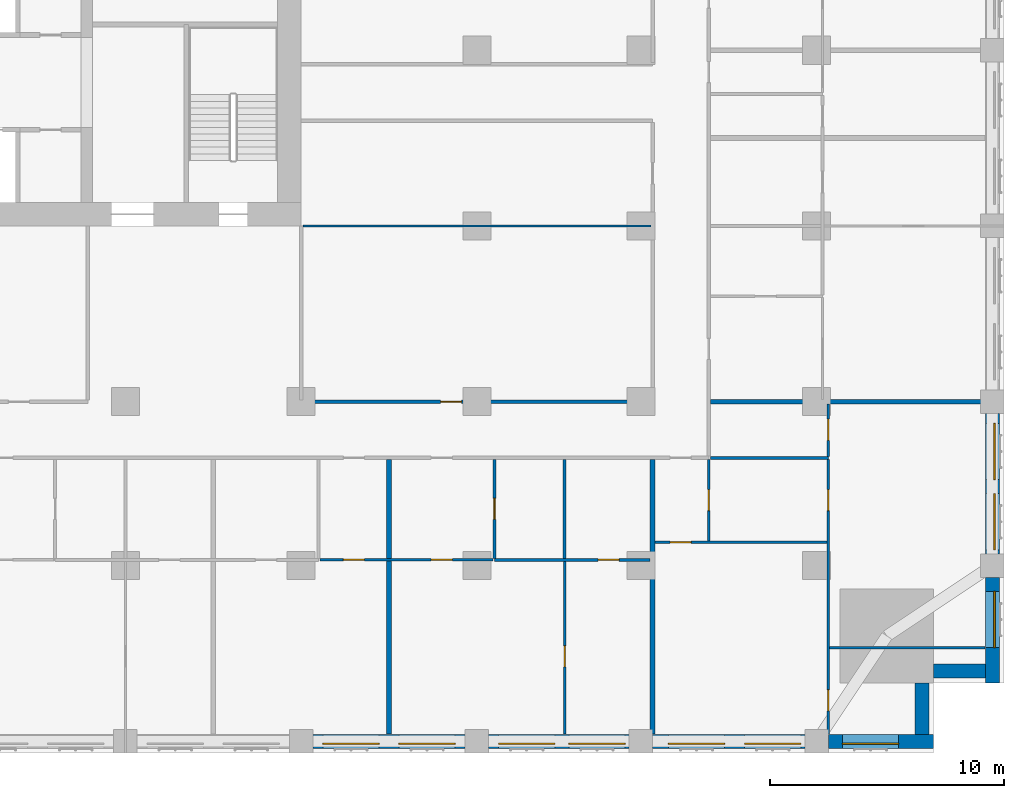
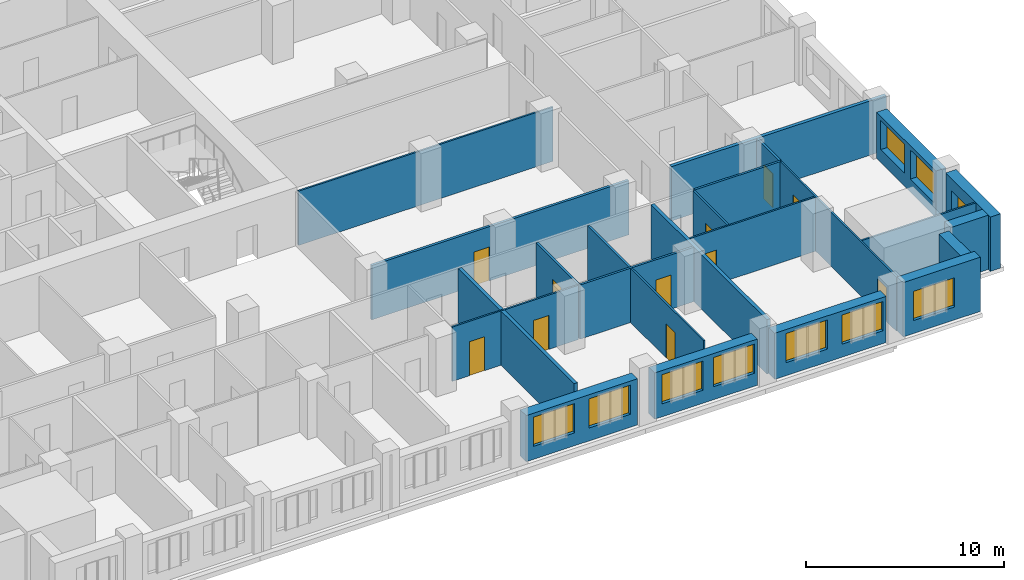
# One storey, part 6 of 14: 24 walls, 11 doors, 10 windows, 21 openings.
"""IFC4 building model written with IfcOpenShell, lengths in metres."""

from ifc_helpers import new_model, si_unit, direction, frame, frame_2d, origin, place, context, subcontext, project, spatial, rectangle, extrude, material, layer, layer_set, type_object, element, fill, save


model = new_model("IFC4")

# Units and contexts
model_context = context("Model", 3, precision=1e-05, world=origin(), true_north=direction((0.0, 1.0)))
body_context = subcontext(model_context, "Body", "Model", "MODEL_VIEW")
ifc_project = project(units=[si_unit("LENGTHUNIT", "METRE"), si_unit("AREAUNIT", "SQUARE_METRE"), si_unit("VOLUMEUNIT", "CUBIC_METRE"), si_unit("PLANEANGLEUNIT", "RADIAN"), si_unit("MASSUNIT", "GRAM", prefix="KILO")], contexts=[model_context])

# Site, building, storey
site_placement = place(None, origin())
site = spatial("IfcSite", under=ifc_project, at=site_placement, CompositionType="ELEMENT")
building_placement = place(site_placement, origin())
building = spatial("IfcBuilding", under=site, at=building_placement, Name="Tamorin Gate", CompositionType="ELEMENT")
storey_placement = place(building_placement, frame((0.0, 0.0, 41.199951171875)))
storey = spatial("IfcBuildingStorey", under=building, at=storey_placement, Name="L08", CompositionType="ELEMENT", Elevation=41.199951171875)

# Wall, openings, windows
ifc_material_1 = material(Name="Precast concrete C40/50", Category="concrete")
ifc_layer_1 = layer(ifc_material_1, 0.60009765625)
ifc_layer_set_1 = layer_set([ifc_layer_1], Name="Precast concrete C40/50")
wall_type_1 = type_object("IfcWallType", Name="Board-marked concrete facade panel 600", PredefinedType="SOLIDWALL", material=ifc_layer_set_1)
wall_1_placement = place(storey_placement, frame((60.5, 38.0, 0.0), z_axis=(0.0, 0.0, 1.0), x_axis=(1.0, 0.0, 0.0)))
wall_1 = element("IfcWall", 1, at=wall_1_placement, inside=storey, type_object=wall_type_1, Name="Facade panel", PredefinedType="SOLIDWALL", context=body_context, shape_type="SweptSolid", body=[
    extrude(rectangle(XDim=6.5, YDim=0.60009765625, at=frame_2d((3.25, 0.0))), origin(), (0.0, 0.0, 1.0), 2.85009765625),
])
opening_1_placement = place(wall_1_placement, frame((0.425048828125, 0.0, 0.800048828125)))
opening_1 = element("IfcOpeningElement", 2, at=opening_1_placement, cuts=wall_1, Name="Opening WN1", PredefinedType="OPENING", context=body_context, shape_type="SweptSolid", body=[
    extrude(rectangle(XDim=2.39990234375, YDim=1.800048828125, at=frame_2d((1.199951171875, 0.89990234375))), frame((0.0, 0.31005859375, 0.0), z_axis=(0.0, -1.0, 0.0), x_axis=(1.0, 0.0, 0.0)), (0.0, 0.0, 1.0), 0.6201171875),
])
opening_2_placement = place(wall_1_placement, frame((3.675048828125, 0.0, 0.800048828125)))
opening_2 = element("IfcOpeningElement", 3, at=opening_2_placement, cuts=wall_1, Name="Opening WN1", PredefinedType="OPENING", context=body_context, shape_type="SweptSolid", body=[
    extrude(rectangle(XDim=2.39990234375, YDim=1.800048828125, at=frame_2d((1.199951171875, 0.89990234375))), frame((0.0, 0.31005859375, 0.0), z_axis=(0.0, -1.0, 0.0), x_axis=(1.0, 0.0, 0.0)), (0.0, 0.0, 1.0), 0.6201171875),
])
ifc_material_2 = material(Name="Clear glass in aluminium frame", Category="aluminium")
window_type = type_object("IfcWindowType", Name="Deep-set window 2400x1800", PartitioningType="SINGLE_PANEL", PredefinedType="WINDOW", material=ifc_material_2)
window_1_placement = place(opening_1_placement, origin())
window_1 = element("IfcWindow", 4, at=window_1_placement, inside=storey, type_object=window_type, Name="Deep-set window", OverallHeight=1.800048828125, OverallWidth=2.39990234375, PartitioningType="SINGLE_PANEL", PredefinedType="WINDOW", context=body_context, shape_type="SweptSolid", body=[
    extrude(rectangle(XDim=2.39990234375, YDim=1.800048828125, at=frame_2d((1.199951171875, 0.89990234375))), frame((0.0, -0.070068359375, 0.0), z_axis=(0.0, -1.0, 0.0), x_axis=(1.0, 0.0, 0.0)), (0.0, 0.0, 1.0), 0.06005859375),
])
fill(opening_1, window_1)
window_2_placement = place(opening_2_placement, origin())
window_2 = element("IfcWindow", 5, at=window_2_placement, inside=storey, type_object=window_type, Name="Deep-set window", OverallHeight=1.800048828125, OverallWidth=2.39990234375, PartitioningType="SINGLE_PANEL", PredefinedType="WINDOW", context=body_context, shape_type="SweptSolid", body=[
    extrude(rectangle(XDim=2.39990234375, YDim=1.800048828125, at=frame_2d((1.199951171875, 0.89990234375))), frame((0.0, -0.070068359375, 0.0), z_axis=(0.0, -1.0, 0.0), x_axis=(1.0, 0.0, 0.0)), (0.0, 0.0, 1.0), 0.06005859375),
])
fill(opening_2, window_2)

wall_2_placement = place(storey_placement, frame((68.0, 38.0, 0.0), z_axis=(0.0, 0.0, 1.0), x_axis=(1.0, 0.0, 0.0)))
wall_2 = element("IfcWall", 6, at=wall_2_placement, inside=storey, type_object=wall_type_1, Name="Facade panel", PredefinedType="SOLIDWALL", context=body_context, shape_type="SweptSolid", body=[
    extrude(rectangle(XDim=6.0, YDim=0.60009765625, at=frame_2d((3.0, 0.0))), origin(), (0.0, 0.0, 1.0), 2.85009765625),
])
opening_3_placement = place(wall_2_placement, frame((0.425048828125, 0.0, 0.800048828125)))
opening_3 = element("IfcOpeningElement", 7, at=opening_3_placement, cuts=wall_2, Name="Opening WN1", PredefinedType="OPENING", context=body_context, shape_type="SweptSolid", body=[
    extrude(rectangle(XDim=2.39990234375, YDim=1.800048828125, at=frame_2d((1.199951171875, 0.89990234375))), frame((0.0, 0.31005859375, 0.0), z_axis=(0.0, -1.0, 0.0), x_axis=(1.0, 0.0, 0.0)), (0.0, 0.0, 1.0), 0.6201171875),
])
opening_4_placement = place(wall_2_placement, frame((3.425048828125, 0.0, 0.800048828125)))
opening_4 = element("IfcOpeningElement", 8, at=opening_4_placement, cuts=wall_2, Name="Opening WN1", PredefinedType="OPENING", context=body_context, shape_type="SweptSolid", body=[
    extrude(rectangle(XDim=2.39990234375, YDim=1.800048828125, at=frame_2d((1.199951171875, 0.89990234375))), frame((0.0, 0.31005859375, 0.0), z_axis=(0.0, -1.0, 0.0), x_axis=(1.0, 0.0, 0.0)), (0.0, 0.0, 1.0), 0.6201171875),
])
window_3_placement = place(opening_3_placement, origin())
window_3 = element("IfcWindow", 9, at=window_3_placement, inside=storey, type_object=window_type, Name="Deep-set window", OverallHeight=1.800048828125, OverallWidth=2.39990234375, PartitioningType="SINGLE_PANEL", PredefinedType="WINDOW", context=body_context, shape_type="SweptSolid", body=[
    extrude(rectangle(XDim=2.39990234375, YDim=1.800048828125, at=frame_2d((1.199951171875, 0.89990234375))), frame((0.0, -0.070068359375, 0.0), z_axis=(0.0, -1.0, 0.0), x_axis=(1.0, 0.0, 0.0)), (0.0, 0.0, 1.0), 0.06005859375),
])
fill(opening_3, window_3)
window_4_placement = place(opening_4_placement, origin())
window_4 = element("IfcWindow", 10, at=window_4_placement, inside=storey, type_object=window_type, Name="Deep-set window", OverallHeight=1.800048828125, OverallWidth=2.39990234375, PartitioningType="SINGLE_PANEL", PredefinedType="WINDOW", context=body_context, shape_type="SweptSolid", body=[
    extrude(rectangle(XDim=2.39990234375, YDim=1.800048828125, at=frame_2d((1.199951171875, 0.89990234375))), frame((0.0, -0.070068359375, 0.0), z_axis=(0.0, -1.0, 0.0), x_axis=(1.0, 0.0, 0.0)), (0.0, 0.0, 1.0), 0.06005859375),
])
fill(opening_4, window_4)

wall_3_placement = place(storey_placement, frame((75.0, 38.0, 0.0), z_axis=(0.0, 0.0, 1.0), x_axis=(1.0, 0.0, 0.0)))
wall_3 = element("IfcWall", 11, at=wall_3_placement, inside=storey, type_object=wall_type_1, Name="Facade panel", PredefinedType="SOLIDWALL", context=body_context, shape_type="SweptSolid", body=[
    extrude(rectangle(XDim=6.5, YDim=0.60009765625, at=frame_2d((3.25, 0.0))), origin(), (0.0, 0.0, 1.0), 2.85009765625),
])
opening_5_placement = place(wall_3_placement, frame((0.675048828125, 0.0, 0.800048828125)))
opening_5 = element("IfcOpeningElement", 12, at=opening_5_placement, cuts=wall_3, Name="Opening WN1", PredefinedType="OPENING", context=body_context, shape_type="SweptSolid", body=[
    extrude(rectangle(XDim=2.39990234375, YDim=1.800048828125, at=frame_2d((1.199951171875, 0.89990234375))), frame((0.0, 0.31005859375, 0.0), z_axis=(0.0, -1.0, 0.0), x_axis=(1.0, 0.0, 0.0)), (0.0, 0.0, 1.0), 0.6201171875),
])
opening_6_placement = place(wall_3_placement, frame((3.925048828125, 0.0, 0.800048828125)))
opening_6 = element("IfcOpeningElement", 13, at=opening_6_placement, cuts=wall_3, Name="Opening WN1", PredefinedType="OPENING", context=body_context, shape_type="SweptSolid", body=[
    extrude(rectangle(XDim=2.39990234375, YDim=1.800048828125, at=frame_2d((1.199951171875, 0.89990234375))), frame((0.0, 0.31005859375, 0.0), z_axis=(0.0, -1.0, 0.0), x_axis=(1.0, 0.0, 0.0)), (0.0, 0.0, 1.0), 0.6201171875),
])
window_5_placement = place(opening_5_placement, origin())
window_5 = element("IfcWindow", 14, at=window_5_placement, inside=storey, type_object=window_type, Name="Deep-set window", OverallHeight=1.800048828125, OverallWidth=2.39990234375, PartitioningType="SINGLE_PANEL", PredefinedType="WINDOW", context=body_context, shape_type="SweptSolid", body=[
    extrude(rectangle(XDim=2.39990234375, YDim=1.800048828125, at=frame_2d((1.199951171875, 0.89990234375))), frame((0.0, -0.070068359375, 0.0), z_axis=(0.0, -1.0, 0.0), x_axis=(1.0, 0.0, 0.0)), (0.0, 0.0, 1.0), 0.06005859375),
])
fill(opening_5, window_5)
window_6_placement = place(opening_6_placement, origin())
window_6 = element("IfcWindow", 15, at=window_6_placement, inside=storey, type_object=window_type, Name="Deep-set window", OverallHeight=1.800048828125, OverallWidth=2.39990234375, PartitioningType="SINGLE_PANEL", PredefinedType="WINDOW", context=body_context, shape_type="SweptSolid", body=[
    extrude(rectangle(XDim=2.39990234375, YDim=1.800048828125, at=frame_2d((1.199951171875, 0.89990234375))), frame((0.0, -0.070068359375, 0.0), z_axis=(0.0, -1.0, 0.0), x_axis=(1.0, 0.0, 0.0)), (0.0, 0.0, 1.0), 0.06005859375),
])
fill(opening_6, window_6)

# Wall, opening, window
wall_4_placement = place(storey_placement, frame((82.5, 38.0, 0.0), z_axis=(0.0, 0.0, 1.0), x_axis=(1.0, 0.0, 0.0)))
wall_4 = element("IfcWall", 16, at=wall_4_placement, inside=storey, type_object=wall_type_1, Name="Facade panel", PredefinedType="SOLIDWALL", context=body_context, shape_type="SweptSolid", body=[
    extrude(rectangle(XDim=4.5, YDim=0.60009765625, at=frame_2d((2.25, 0.0))), origin(), (0.0, 0.0, 1.0), 3.35009765625),
])
opening_7_placement = place(wall_4_placement, frame((0.60009765625, 0.0, 0.800048828125)))
opening_7 = element("IfcOpeningElement", 17, at=opening_7_placement, cuts=wall_4, Name="Opening WN1", PredefinedType="OPENING", context=body_context, shape_type="SweptSolid", body=[
    extrude(rectangle(XDim=2.39990234375, YDim=1.800048828125, at=frame_2d((1.199951171875, 0.89990234375))), frame((0.0, 0.31005859375, 0.0), z_axis=(0.0, -1.0, 0.0), x_axis=(1.0, 0.0, 0.0)), (0.0, 0.0, 1.0), 0.6201171875),
])
window_7_placement = place(opening_7_placement, origin())
window_7 = element("IfcWindow", 18, at=window_7_placement, inside=storey, type_object=window_type, Name="Deep-set window", OverallHeight=1.800048828125, OverallWidth=2.39990234375, PartitioningType="SINGLE_PANEL", PredefinedType="WINDOW", context=body_context, shape_type="SweptSolid", body=[
    extrude(rectangle(XDim=2.39990234375, YDim=1.800048828125, at=frame_2d((1.199951171875, 0.89990234375))), frame((0.0, -0.070068359375, 0.0), z_axis=(0.0, -1.0, 0.0), x_axis=(1.0, 0.0, 0.0)), (0.0, 0.0, 1.0), 0.06005859375),
])
fill(opening_7, window_7)

# Walls
for number, where, z_axis, x_axis, name in (
    (19, (86.5, 38.300048828125, 0.0), (0.0, 0.0, 1.0), (0.0, 1.0, 0.0), "Facade panel"),
    (20, (87.0, 41.0, 0.0), (0.0, 0.0, 1.0), (1.0, 0.0, 0.0), "Facade panel"),
):
    element("IfcWall", number, at=place(storey_placement, frame(where, z_axis=z_axis, x_axis=x_axis)), inside=storey, type_object=wall_type_1, Name=name, PredefinedType="SOLIDWALL", context=body_context, shape_type="SweptSolid", body=[
        extrude(rectangle(XDim=2.199951171875, YDim=0.60009765625, at=frame_2d((1.10009765625, 0.0))), origin(), (0.0, 0.0, 1.0), 3.35009765625),
    ])

# Wall, opening, window
wall_5_placement = place(storey_placement, frame((89.5, 40.5, 0.0), z_axis=(0.0, 0.0, 1.0), x_axis=(0.0, 1.0, 0.0)))
wall_5 = element("IfcWall", 21, at=wall_5_placement, inside=storey, type_object=wall_type_1, Name="Facade panel", PredefinedType="SOLIDWALL", context=body_context, shape_type="SweptSolid", body=[
    extrude(rectangle(XDim=4.5, YDim=0.60009765625, at=frame_2d((2.25, 0.0))), origin(), (0.0, 0.0, 1.0), 3.35009765625),
])
opening_8_placement = place(wall_5_placement, frame((1.5, 0.0, 0.800048828125)))
opening_8 = element("IfcOpeningElement", 22, at=opening_8_placement, cuts=wall_5, Name="Opening WN1", PredefinedType="OPENING", context=body_context, shape_type="SweptSolid", body=[
    extrude(rectangle(XDim=2.39990234375, YDim=1.800048828125, at=frame_2d((1.199951171875, 0.89990234375))), frame((0.0, 0.31005859375, 0.0), z_axis=(0.0, -1.0, 0.0), x_axis=(1.0, 0.0, 0.0)), (0.0, 0.0, 1.0), 0.6201171875),
])
window_8_placement = place(opening_8_placement, origin())
window_8 = element("IfcWindow", 23, at=window_8_placement, inside=storey, type_object=window_type, Name="Deep-set window", OverallHeight=1.800048828125, OverallWidth=2.39990234375, PartitioningType="SINGLE_PANEL", PredefinedType="WINDOW", context=body_context, shape_type="SweptSolid", body=[
    extrude(rectangle(XDim=2.39990234375, YDim=1.800048828125, at=frame_2d((1.199951171875, 0.89990234375))), frame((0.0, -0.070068359375, 0.0), z_axis=(0.0, -1.0, 0.0), x_axis=(1.0, 0.0, 0.0)), (0.0, 0.0, 1.0), 0.06005859375),
])
fill(opening_8, window_8)

# Wall, openings, windows
wall_6_placement = place(storey_placement, frame((89.5, 46.0, 0.0), z_axis=(0.0, 0.0, 1.0), x_axis=(0.0, 1.0, 0.0)))
wall_6 = element("IfcWall", 24, at=wall_6_placement, inside=storey, type_object=wall_type_1, Name="Facade panel", PredefinedType="SOLIDWALL", context=body_context, shape_type="SweptSolid", body=[
    extrude(rectangle(XDim=6.0, YDim=0.60009765625, at=frame_2d((3.0, 0.0))), origin(), (0.0, 0.0, 1.0), 2.85009765625),
])
opening_9_placement = place(wall_6_placement, frame((0.175048828125, 0.0, 0.800048828125)))
opening_9 = element("IfcOpeningElement", 25, at=opening_9_placement, cuts=wall_6, Name="Opening WN1", PredefinedType="OPENING", context=body_context, shape_type="SweptSolid", body=[
    extrude(rectangle(XDim=2.39990234375, YDim=1.800048828125, at=frame_2d((1.199951171875, 0.89990234375))), frame((0.0, 0.31005859375, 0.0), z_axis=(0.0, -1.0, 0.0), x_axis=(1.0, 0.0, 0.0)), (0.0, 0.0, 1.0), 0.6201171875),
])
opening_10_placement = place(wall_6_placement, frame((3.175048828125, 0.0, 0.800048828125)))
opening_10 = element("IfcOpeningElement", 26, at=opening_10_placement, cuts=wall_6, Name="Opening WN1", PredefinedType="OPENING", context=body_context, shape_type="SweptSolid", body=[
    extrude(rectangle(XDim=2.39990234375, YDim=1.800048828125, at=frame_2d((1.199951171875, 0.89990234375))), frame((0.0, 0.31005859375, 0.0), z_axis=(0.0, -1.0, 0.0), x_axis=(1.0, 0.0, 0.0)), (0.0, 0.0, 1.0), 0.6201171875),
])
window_9_placement = place(opening_9_placement, origin())
window_9 = element("IfcWindow", 27, at=window_9_placement, inside=storey, type_object=window_type, Name="Deep-set window", OverallHeight=1.800048828125, OverallWidth=2.39990234375, PartitioningType="SINGLE_PANEL", PredefinedType="WINDOW", context=body_context, shape_type="SweptSolid", body=[
    extrude(rectangle(XDim=2.39990234375, YDim=1.800048828125, at=frame_2d((1.199951171875, 0.89990234375))), frame((0.0, -0.070068359375, 0.0), z_axis=(0.0, -1.0, 0.0), x_axis=(1.0, 0.0, 0.0)), (0.0, 0.0, 1.0), 0.06005859375),
])
fill(opening_9, window_9)
window_10_placement = place(opening_10_placement, origin())
window_10 = element("IfcWindow", 28, at=window_10_placement, inside=storey, type_object=window_type, Name="Deep-set window", OverallHeight=1.800048828125, OverallWidth=2.39990234375, PartitioningType="SINGLE_PANEL", PredefinedType="WINDOW", context=body_context, shape_type="SweptSolid", body=[
    extrude(rectangle(XDim=2.39990234375, YDim=1.800048828125, at=frame_2d((1.199951171875, 0.89990234375))), frame((0.0, -0.070068359375, 0.0), z_axis=(0.0, -1.0, 0.0), x_axis=(1.0, 0.0, 0.0)), (0.0, 0.0, 1.0), 0.06005859375),
])
fill(opening_10, window_10)

# Wall, opening, door
ifc_material_3 = material(Name="Gypsum board partition")
ifc_layer_2 = layer(ifc_material_3, 0.14990234375)
ifc_layer_set_2 = layer_set([ifc_layer_2], Name="Corridor wall 150")
wall_type_2 = type_object("IfcWallType", Name="Corridor wall 150", PredefinedType="PARTITIONING", material=ifc_layer_set_2)
wall_7_placement = place(storey_placement, frame((60.0, 52.5, 0.0), z_axis=(0.0, 0.0, 1.0), x_axis=(1.0, 0.0, 0.0)))
wall_7 = element("IfcWall", 29, at=wall_7_placement, inside=storey, type_object=wall_type_2, Name="Corridor wall 150", PredefinedType="PARTITIONING", context=body_context, shape_type="SweptSolid", body=[
    extrude(rectangle(XDim=15.0, YDim=0.14990234375, at=frame_2d((7.5, 0.0))), origin(), (0.0, 0.0, 1.0), 3.35009765625),
])
opening_11_placement = place(wall_7_placement, frame((5.949951171875, 0.0, 0.0)))
opening_11 = element("IfcOpeningElement", 30, at=opening_11_placement, cuts=wall_7, Name="Opening DH3076", PredefinedType="OPENING", context=body_context, shape_type="SweptSolid", body=[
    extrude(rectangle(XDim=0.89990234375, YDim=2.10009765625, at=frame_2d((0.449951171875, 1.050048828125))), frame((0.0, 0.0849609375, 0.0), z_axis=(0.0, -1.0, 0.0), x_axis=(1.0, 0.0, 0.0)), (0.0, 0.0, 1.0), 0.169921875),
])
ifc_material_4 = material(Name="Timber door leaf", Category="wood")
door_type_1 = type_object("IfcDoorType", Name="Door 900 x 2100 FD30S", OperationType="NOTDEFINED", PredefinedType="DOOR", material=ifc_material_4)
door_1_placement = place(opening_11_placement, origin())
door_1 = element("IfcDoor", 31, at=door_1_placement, inside=storey, type_object=door_type_1, Name="Door DH3076", OperationType="SINGLE_SWING_LEFT", OverallHeight=2.10009765625, OverallWidth=0.89990234375, PredefinedType="DOOR", context=body_context, shape_type="SweptSolid", body=[
    extrude(rectangle(XDim=0.89990234375, YDim=2.10009765625, at=frame_2d((0.449951171875, 1.050048828125))), frame((0.0, 0.02490234375, 0.0), z_axis=(0.0, -1.0, 0.0), x_axis=(1.0, 0.0, 0.0)), (0.0, 0.0, 1.0), 0.050048828125),
])
fill(opening_11, door_1)

# Walls
ifc_layer_3 = layer(ifc_material_3, 0.199951171875)
ifc_layer_set_3 = layer_set([ifc_layer_3], Name="Demising wall 200")
wall_type_3 = type_object("IfcWallType", Name="Demising wall 200", PredefinedType="PARTITIONING", material=ifc_layer_set_3)
wall_8_placement = place(storey_placement, frame((77.47509765625, 52.5, 0.0), z_axis=(0.0, 0.0, 1.0), x_axis=(1.0, 0.0, 0.0)))
element("IfcWall", 32, at=wall_8_placement, inside=storey, type_object=wall_type_3, Name="Demising wall 200", PredefinedType="PARTITIONING", context=body_context, shape_type="SweptSolid", body=[
    extrude(rectangle(XDim=12.52490234375, YDim=0.199951171875, at=frame_2d((6.262451171875, 0.0))), origin(), (0.0, 0.0, 1.0), 3.35009765625),
])
for number, where, z_axis, x_axis, name in (
    (33, (63.75, 38.31005859375, 0.0), (0.0, 0.0, 1.0), (0.0, 1.0, 0.0), "Demising wall 200"),
    (34, (75.0, 38.31005859375, 0.0), (0.0, 0.0, 1.0), (0.0, 1.0, 0.0), "Demising wall 200"),
):
    element("IfcWall", number, at=place(storey_placement, frame(where, z_axis=z_axis, x_axis=x_axis)), inside=storey, type_object=wall_type_3, Name=name, PredefinedType="PARTITIONING", context=body_context, shape_type="SweptSolid", body=[
        extrude(rectangle(XDim=11.71484375, YDim=0.199951171875, at=frame_2d((5.857421875, 0.0))), origin(), (0.0, 0.0, 1.0), 3.35009765625),
    ])
ifc_layer_4 = layer(ifc_material_3, 0.10009765625)
ifc_layer_set_4 = layer_set([ifc_layer_4], Name="Room partition 100")
wall_type_4 = type_object("IfcWallType", Name="Room partition 100", PredefinedType="PARTITIONING", material=ifc_layer_set_4)
wall_9_placement = place(storey_placement, frame((82.550048828125, 42.0, 0.0), z_axis=(0.0, 0.0, 1.0), x_axis=(1.0, 0.0, 0.0)))
element("IfcWall", 35, at=wall_9_placement, inside=storey, type_object=wall_type_4, Name="Room partition 100", PredefinedType="PARTITIONING", context=body_context, shape_type="SweptSolid", body=[
    extrude(rectangle(XDim=6.639892578125, YDim=0.10009765625, at=frame_2d((3.31982421875, 0.0))), origin(), (0.0, 0.0, 1.0), 3.35009765625),
])

# Wall, openings, doors
wall_10_placement = place(storey_placement, frame((60.8125, 45.75, 0.0), z_axis=(0.0, 0.0, 1.0), x_axis=(1.0, 0.0, 0.0)))
wall_10 = element("IfcWall", 36, at=wall_10_placement, inside=storey, type_object=wall_type_4, Name="Room partition 100", PredefinedType="PARTITIONING", context=body_context, shape_type="SweptSolid", body=[
    extrude(rectangle(XDim=7.375, YDim=0.10009765625, at=frame_2d((3.6875, 0.0))), origin(), (0.0, 0.0, 1.0), 3.35009765625),
])
opening_12_placement = place(wall_10_placement, frame((0.987548828125, 0.0, 0.0)))
opening_12 = element("IfcOpeningElement", 37, at=opening_12_placement, cuts=wall_10, Name="Opening DH3014", PredefinedType="OPENING", context=body_context, shape_type="SweptSolid", body=[
    extrude(rectangle(XDim=0.89990234375, YDim=2.10009765625, at=frame_2d((0.449951171875, 1.050048828125))), frame((0.0, 0.06005859375, 0.0), z_axis=(0.0, -1.0, 0.0), x_axis=(1.0, 0.0, 0.0)), (0.0, 0.0, 1.0), 0.1201171875),
])
opening_13_placement = place(wall_10_placement, frame((4.737548828125, 0.0, 0.0)))
opening_13 = element("IfcOpeningElement", 38, at=opening_13_placement, cuts=wall_10, Name="Opening DH3016", PredefinedType="OPENING", context=body_context, shape_type="SweptSolid", body=[
    extrude(rectangle(XDim=0.89990234375, YDim=2.10009765625, at=frame_2d((0.449951171875, 1.050048828125))), frame((0.0, 0.06005859375, 0.0), z_axis=(0.0, -1.0, 0.0), x_axis=(1.0, 0.0, 0.0)), (0.0, 0.0, 1.0), 0.1201171875),
])
door_type_2 = type_object("IfcDoorType", Name="Door 900 x 2100", OperationType="NOTDEFINED", PredefinedType="DOOR", material=ifc_material_4)
door_2_placement = place(opening_12_placement, origin())
door_2 = element("IfcDoor", 39, at=door_2_placement, inside=storey, type_object=door_type_2, Name="Door DH3014", OperationType="SINGLE_SWING_LEFT", OverallHeight=2.10009765625, OverallWidth=0.89990234375, PredefinedType="DOOR", context=body_context, shape_type="SweptSolid", body=[
    extrude(rectangle(XDim=0.89990234375, YDim=2.10009765625, at=frame_2d((0.449951171875, 1.050048828125))), frame((0.0, 0.02490234375, 0.0), z_axis=(0.0, -1.0, 0.0), x_axis=(1.0, 0.0, 0.0)), (0.0, 0.0, 1.0), 0.050048828125),
])
fill(opening_12, door_2)
door_3_placement = place(opening_13_placement, origin())
door_3 = element("IfcDoor", 40, at=door_3_placement, inside=storey, type_object=door_type_2, Name="Door DH3016", OperationType="SINGLE_SWING_LEFT", OverallHeight=2.10009765625, OverallWidth=0.89990234375, PredefinedType="DOOR", context=body_context, shape_type="SweptSolid", body=[
    extrude(rectangle(XDim=0.89990234375, YDim=2.10009765625, at=frame_2d((0.449951171875, 1.050048828125))), frame((0.0, 0.02490234375, 0.0), z_axis=(0.0, -1.0, 0.0), x_axis=(1.0, 0.0, 0.0)), (0.0, 0.0, 1.0), 0.050048828125),
])
fill(opening_13, door_3)

# Wall, opening, door
wall_11_placement = place(storey_placement, frame((75.10009765625, 46.5, 0.0), z_axis=(0.0, 0.0, 1.0), x_axis=(1.0, 0.0, 0.0)))
wall_11 = element("IfcWall", 41, at=wall_11_placement, inside=storey, type_object=wall_type_4, Name="Room partition 100", PredefinedType="PARTITIONING", context=body_context, shape_type="SweptSolid", body=[
    extrude(rectangle(XDim=7.349853515625, YDim=0.10009765625, at=frame_2d((3.6748046875, 0.0))), origin(), (0.0, 0.0, 1.0), 3.35009765625),
])
opening_14_placement = place(wall_11_placement, frame((0.64990234375, 0.0, 0.0)))
opening_14 = element("IfcOpeningElement", 42, at=opening_14_placement, cuts=wall_11, Name="Opening DH3062", PredefinedType="OPENING", context=body_context, shape_type="SweptSolid", body=[
    extrude(rectangle(XDim=0.89990234375, YDim=2.10009765625, at=frame_2d((0.449951171875, 1.050048828125))), frame((0.0, 0.06005859375, 0.0), z_axis=(0.0, -1.0, 0.0), x_axis=(1.0, 0.0, 0.0)), (0.0, 0.0, 1.0), 0.1201171875),
])
door_4_placement = place(opening_14_placement, origin())
door_4 = element("IfcDoor", 43, at=door_4_placement, inside=storey, type_object=door_type_2, Name="Door DH3062", OperationType="SINGLE_SWING_RIGHT", OverallHeight=2.10009765625, OverallWidth=0.89990234375, PredefinedType="DOOR", context=body_context, shape_type="SweptSolid", body=[
    extrude(rectangle(XDim=0.89990234375, YDim=2.10009765625, at=frame_2d((0.449951171875, 1.050048828125))), frame((0.0, 0.02490234375, 0.0), z_axis=(0.0, -1.0, 0.0), x_axis=(1.0, 0.0, 0.0)), (0.0, 0.0, 1.0), 0.050048828125),
])
fill(opening_14, door_4)

# Wall
wall_12_placement = place(storey_placement, frame((60.074951171875, 60.0, 0.0), z_axis=(0.0, 0.0, 1.0), x_axis=(1.0, 0.0, 0.0)))
element("IfcWall", 44, at=wall_12_placement, inside=storey, type_object=wall_type_4, Name="Room partition 100", PredefinedType="PARTITIONING", context=body_context, shape_type="SweptSolid", body=[
    extrude(rectangle(XDim=14.85009765625, YDim=0.10009765625, at=frame_2d((7.425048828125, 0.0))), origin(), (0.0, 0.0, 1.0), 3.35009765625),
])

# Wall, opening, door
wall_13_placement = place(storey_placement, frame((71.25, 38.31005859375, 0.0), z_axis=(0.0, 0.0, 1.0), x_axis=(0.0, 1.0, 0.0)))
wall_13 = element("IfcWall", 45, at=wall_13_placement, inside=storey, type_object=wall_type_4, Name="Room partition 100", PredefinedType="PARTITIONING", context=body_context, shape_type="SweptSolid", body=[
    extrude(rectangle(XDim=7.37744140625, YDim=0.10009765625, at=frame_2d((3.688720703125, 0.0))), origin(), (0.0, 0.0, 1.0), 3.35009765625),
])
opening_15_placement = place(wall_13_placement, frame((2.864990234375, 0.0, 0.0)))
opening_15 = element("IfcOpeningElement", 46, at=opening_15_placement, cuts=wall_13, Name="Opening DH3019", PredefinedType="OPENING", context=body_context, shape_type="SweptSolid", body=[
    extrude(rectangle(XDim=0.89990234375, YDim=2.10009765625, at=frame_2d((0.449951171875, 1.050048828125))), frame((0.0, 0.06005859375, 0.0), z_axis=(0.0, -1.0, 0.0), x_axis=(1.0, 0.0, 0.0)), (0.0, 0.0, 1.0), 0.1201171875),
])
door_5_placement = place(opening_15_placement, origin())
door_5 = element("IfcDoor", 47, at=door_5_placement, inside=storey, type_object=door_type_2, Name="Door DH3019", OperationType="SINGLE_SWING_LEFT", OverallHeight=2.10009765625, OverallWidth=0.89990234375, PredefinedType="DOOR", context=body_context, shape_type="SweptSolid", body=[
    extrude(rectangle(XDim=0.89990234375, YDim=2.10009765625, at=frame_2d((0.449951171875, 1.050048828125))), frame((0.0, 0.02490234375, 0.0), z_axis=(0.0, -1.0, 0.0), x_axis=(1.0, 0.0, 0.0)), (0.0, 0.0, 1.0), 0.050048828125),
])
fill(opening_15, door_5)

wall_14_placement = place(storey_placement, frame((77.39990234375, 46.550048828125, 0.0), z_axis=(0.0, 0.0, 1.0), x_axis=(0.0, 1.0, 0.0)))
wall_14 = element("IfcWall", 48, at=wall_14_placement, inside=storey, type_object=wall_type_4, Name="Room partition 100", PredefinedType="PARTITIONING", context=body_context, shape_type="SweptSolid", body=[
    extrude(rectangle(XDim=3.474853515625, YDim=0.10009765625, at=frame_2d((1.7373046875, 0.0))), origin(), (0.0, 0.0, 1.0), 3.35009765625),
])
opening_16_placement = place(wall_14_placement, frame((1.300048828125, 0.0, 0.0)))
opening_16 = element("IfcOpeningElement", 49, at=opening_16_placement, cuts=wall_14, Name="Opening DH3063", PredefinedType="OPENING", context=body_context, shape_type="SweptSolid", body=[
    extrude(rectangle(XDim=0.89990234375, YDim=2.10009765625, at=frame_2d((0.449951171875, 1.050048828125))), frame((0.0, 0.06005859375, 0.0), z_axis=(0.0, -1.0, 0.0), x_axis=(1.0, 0.0, 0.0)), (0.0, 0.0, 1.0), 0.1201171875),
])
door_6_placement = place(opening_16_placement, origin())
door_6 = element("IfcDoor", 50, at=door_6_placement, inside=storey, type_object=door_type_2, Name="Door DH3063", OperationType="SINGLE_SWING_RIGHT", OverallHeight=2.10009765625, OverallWidth=0.89990234375, PredefinedType="DOOR", context=body_context, shape_type="SweptSolid", body=[
    extrude(rectangle(XDim=0.89990234375, YDim=2.10009765625, at=frame_2d((0.449951171875, 1.050048828125))), frame((0.0, 0.02490234375, 0.0), z_axis=(0.0, -1.0, 0.0), x_axis=(1.0, 0.0, 0.0)), (0.0, 0.0, 1.0), 0.050048828125),
])
fill(opening_16, door_6)

# Wall, openings, doors
wall_15_placement = place(storey_placement, frame((82.5, 38.31005859375, 0.0), z_axis=(0.0, 0.0, 1.0), x_axis=(0.0, 1.0, 0.0)))
wall_15 = element("IfcWall", 51, at=wall_15_placement, inside=storey, type_object=wall_type_4, Name="Room partition 100", PredefinedType="PARTITIONING", context=body_context, shape_type="SweptSolid", body=[
    extrude(rectangle(XDim=11.7275390625, YDim=0.10009765625, at=frame_2d((5.86376953125, 0.0))), origin(), (0.0, 0.0, 1.0), 3.35009765625),
])
opening_17_placement = place(wall_15_placement, frame((0.989990234375, 0.0, 0.0)))
opening_17 = element("IfcOpeningElement", 52, at=opening_17_placement, cuts=wall_15, Name="Opening DH3064", PredefinedType="OPENING", context=body_context, shape_type="SweptSolid", body=[
    extrude(rectangle(XDim=0.89990234375, YDim=2.10009765625, at=frame_2d((0.449951171875, 1.050048828125))), frame((0.0, 0.06005859375, 0.0), z_axis=(0.0, -1.0, 0.0), x_axis=(1.0, 0.0, 0.0)), (0.0, 0.0, 1.0), 0.1201171875),
])
opening_18_placement = place(wall_15_placement, frame((9.5400390625, 0.0, 0.0)))
opening_18 = element("IfcOpeningElement", 53, at=opening_18_placement, cuts=wall_15, Name="Opening DH3065", PredefinedType="OPENING", context=body_context, shape_type="SweptSolid", body=[
    extrude(rectangle(XDim=0.89990234375, YDim=2.10009765625, at=frame_2d((0.449951171875, 1.050048828125))), frame((0.0, 0.06005859375, 0.0), z_axis=(0.0, -1.0, 0.0), x_axis=(1.0, 0.0, 0.0)), (0.0, 0.0, 1.0), 0.1201171875),
])
door_7_placement = place(opening_17_placement, origin())
door_7 = element("IfcDoor", 54, at=door_7_placement, inside=storey, type_object=door_type_2, Name="Door DH3064", OperationType="SINGLE_SWING_LEFT", OverallHeight=2.10009765625, OverallWidth=0.89990234375, PredefinedType="DOOR", context=body_context, shape_type="SweptSolid", body=[
    extrude(rectangle(XDim=0.89990234375, YDim=2.10009765625, at=frame_2d((0.449951171875, 1.050048828125))), frame((0.0, 0.02490234375, 0.0), z_axis=(0.0, -1.0, 0.0), x_axis=(1.0, 0.0, 0.0)), (0.0, 0.0, 1.0), 0.050048828125),
])
fill(opening_17, door_7)
door_8_placement = place(opening_18_placement, origin())
door_8 = element("IfcDoor", 55, at=door_8_placement, inside=storey, type_object=door_type_2, Name="Door DH3065", OperationType="SINGLE_SWING_RIGHT", OverallHeight=2.10009765625, OverallWidth=0.89990234375, PredefinedType="DOOR", context=body_context, shape_type="SweptSolid", body=[
    extrude(rectangle(XDim=0.89990234375, YDim=2.10009765625, at=frame_2d((0.449951171875, 1.050048828125))), frame((0.0, 0.02490234375, 0.0), z_axis=(0.0, -1.0, 0.0), x_axis=(1.0, 0.0, 0.0)), (0.0, 0.0, 1.0), 0.050048828125),
])
fill(opening_18, door_8)

# Wall, opening, door
ifc_layer_5 = layer(ifc_material_3, 0.125)
ifc_layer_set_5 = layer_set([ifc_layer_5], Name="Wet wall 125")
wall_type_5 = type_object("IfcWallType", Name="Wet wall 125", PredefinedType="PARTITIONING", material=ifc_layer_set_5)
wall_16_placement = place(storey_placement, frame((68.25, 45.75, 0.0), z_axis=(0.0, 0.0, 1.0), x_axis=(1.0, 0.0, 0.0)))
wall_16 = element("IfcWall", 56, at=wall_16_placement, inside=storey, type_object=wall_type_5, Name="Wet wall 125", PredefinedType="PARTITIONING", context=body_context, shape_type="SweptSolid", body=[
    extrude(rectangle(XDim=6.64990234375, YDim=0.125, at=frame_2d((3.324951171875, 0.0))), origin(), (0.0, 0.0, 1.0), 3.35009765625),
])
opening_19_placement = place(wall_16_placement, frame((4.425048828125, 0.0, 0.0)))
opening_19 = element("IfcOpeningElement", 57, at=opening_19_placement, cuts=wall_16, Name="Opening DH3018", PredefinedType="OPENING", context=body_context, shape_type="SweptSolid", body=[
    extrude(rectangle(XDim=0.89990234375, YDim=2.10009765625, at=frame_2d((0.449951171875, 1.050048828125))), frame((0.0, 0.072509765625, 0.0), z_axis=(0.0, -1.0, 0.0), x_axis=(1.0, 0.0, 0.0)), (0.0, 0.0, 1.0), 0.14501953125),
])
door_9_placement = place(opening_19_placement, origin())
door_9 = element("IfcDoor", 58, at=door_9_placement, inside=storey, type_object=door_type_2, Name="Door DH3018", OperationType="SINGLE_SWING_LEFT", OverallHeight=2.10009765625, OverallWidth=0.89990234375, PredefinedType="DOOR", context=body_context, shape_type="SweptSolid", body=[
    extrude(rectangle(XDim=0.89990234375, YDim=2.10009765625, at=frame_2d((0.449951171875, 1.050048828125))), frame((0.0, 0.02490234375, 0.0), z_axis=(0.0, -1.0, 0.0), x_axis=(1.0, 0.0, 0.0)), (0.0, 0.0, 1.0), 0.050048828125),
])
fill(opening_19, door_9)

# Wall
wall_17_placement = place(storey_placement, frame((77.47509765625, 50.10009765625, 0.0), z_axis=(0.0, 0.0, 1.0), x_axis=(1.0, 0.0, 0.0)))
element("IfcWall", 59, at=wall_17_placement, inside=storey, type_object=wall_type_5, Name="Wet wall 125", PredefinedType="PARTITIONING", context=body_context, shape_type="SweptSolid", body=[
    extrude(rectangle(XDim=5.02490234375, YDim=0.125, at=frame_2d((2.512451171875, 0.0))), origin(), (0.0, 0.0, 1.0), 3.35009765625),
])

# Wall, opening, door
wall_18_placement = place(storey_placement, frame((68.25, 45.8125, 0.0), z_axis=(0.0, 0.0, 1.0), x_axis=(0.0, 1.0, 0.0)))
wall_18 = element("IfcWall", 60, at=wall_18_placement, inside=storey, type_object=wall_type_5, Name="Wet wall 125", PredefinedType="PARTITIONING", context=body_context, shape_type="SweptSolid", body=[
    extrude(rectangle(XDim=4.21240234375, YDim=0.125, at=frame_2d((2.106201171875, 0.0))), origin(), (0.0, 0.0, 1.0), 3.35009765625),
])
opening_20_placement = place(wall_18_placement, frame((1.66259765625, 0.0, 0.0)))
opening_20 = element("IfcOpeningElement", 61, at=opening_20_placement, cuts=wall_18, Name="Opening DH3017", PredefinedType="OPENING", context=body_context, shape_type="SweptSolid", body=[
    extrude(rectangle(XDim=0.89990234375, YDim=2.10009765625, at=frame_2d((0.449951171875, 1.050048828125))), frame((0.0, 0.072509765625, 0.0), z_axis=(0.0, -1.0, 0.0), x_axis=(1.0, 0.0, 0.0)), (0.0, 0.0, 1.0), 0.14501953125),
])
door_10_placement = place(opening_20_placement, origin())
door_10 = element("IfcDoor", 62, at=door_10_placement, inside=storey, type_object=door_type_2, Name="Door DH3017", OperationType="SINGLE_SWING_LEFT", OverallHeight=2.10009765625, OverallWidth=0.89990234375, PredefinedType="DOOR", context=body_context, shape_type="SweptSolid", body=[
    extrude(rectangle(XDim=0.89990234375, YDim=2.10009765625, at=frame_2d((0.449951171875, 1.050048828125))), frame((0.0, 0.02490234375, 0.0), z_axis=(0.0, -1.0, 0.0), x_axis=(1.0, 0.0, 0.0)), (0.0, 0.0, 1.0), 0.050048828125),
])
fill(opening_20, door_10)

# Wall
wall_19_placement = place(storey_placement, frame((71.25, 45.8125, 0.0), z_axis=(0.0, 0.0, 1.0), x_axis=(0.0, 1.0, 0.0)))
element("IfcWall", 63, at=wall_19_placement, inside=storey, type_object=wall_type_5, Name="Wet wall 125", PredefinedType="PARTITIONING", context=body_context, shape_type="SweptSolid", body=[
    extrude(rectangle(XDim=4.21240234375, YDim=0.125, at=frame_2d((2.106201171875, 0.0))), origin(), (0.0, 0.0, 1.0), 3.35009765625),
])

# Wall, opening, door
wall_20_placement = place(storey_placement, frame((82.5, 50.16259765625, 0.0), z_axis=(0.0, 0.0, 1.0), x_axis=(0.0, 1.0, 0.0)))
wall_20 = element("IfcWall", 64, at=wall_20_placement, inside=storey, type_object=wall_type_5, Name="Wet wall 125", PredefinedType="PARTITIONING", context=body_context, shape_type="SweptSolid", body=[
    extrude(rectangle(XDim=2.2373046875, YDim=0.125, at=frame_2d((1.11865234375, 0.0))), origin(), (0.0, 0.0, 1.0), 3.35009765625),
])
opening_21_placement = place(wall_20_placement, frame((0.6875, 0.0, 0.0)))
opening_21 = element("IfcOpeningElement", 65, at=opening_21_placement, cuts=wall_20, Name="Opening DH3066", PredefinedType="OPENING", context=body_context, shape_type="SweptSolid", body=[
    extrude(rectangle(XDim=0.89990234375, YDim=2.10009765625, at=frame_2d((0.449951171875, 1.050048828125))), frame((0.0, 0.072509765625, 0.0), z_axis=(0.0, -1.0, 0.0), x_axis=(1.0, 0.0, 0.0)), (0.0, 0.0, 1.0), 0.14501953125),
])
door_11_placement = place(opening_21_placement, origin())
door_11 = element("IfcDoor", 66, at=door_11_placement, inside=storey, type_object=door_type_2, Name="Door DH3066", OperationType="SINGLE_SWING_LEFT", OverallHeight=2.10009765625, OverallWidth=0.89990234375, PredefinedType="DOOR", context=body_context, shape_type="SweptSolid", body=[
    extrude(rectangle(XDim=0.89990234375, YDim=2.10009765625, at=frame_2d((0.449951171875, 1.050048828125))), frame((0.0, 0.02490234375, 0.0), z_axis=(0.0, -1.0, 0.0), x_axis=(1.0, 0.0, 0.0)), (0.0, 0.0, 1.0), 0.050048828125),
])
fill(opening_21, door_11)

save(model, "model.ifc")
